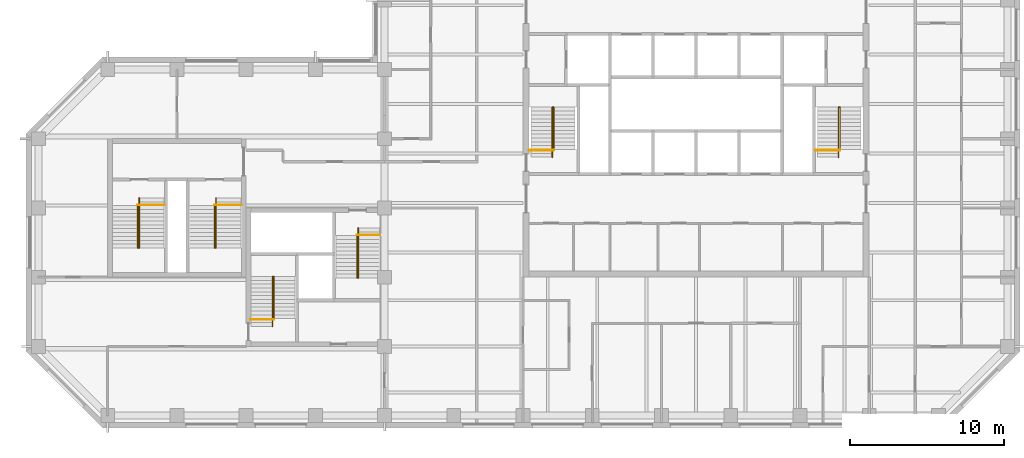
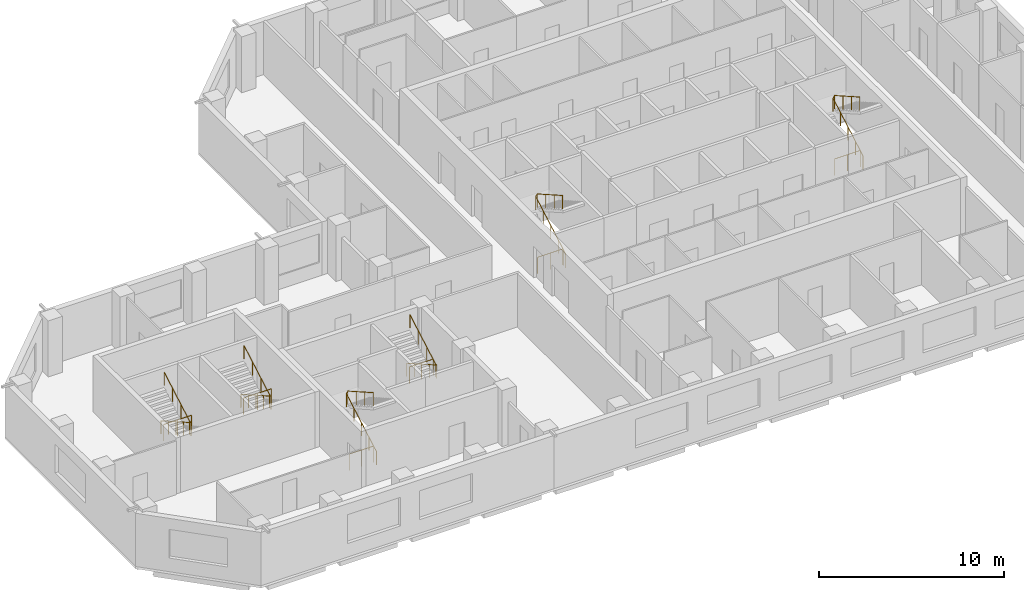
# One storey, part 10 of 10: 12 railings.
"""IFC4 building model written with IfcOpenShell, lengths in metres."""

from ifc_helpers import new_model, si_unit, direction, frame, origin, origin_2d, place, context, subcontext, project, spatial, circle, extrude, material, type_object, element, save


model = new_model("IFC4")

# Units and contexts
model_context = context("Model", 3, precision=1e-05, world=origin(), true_north=direction((0.0, 1.0)))
body_context = subcontext(model_context, "Body", "Model", "MODEL_VIEW")
ifc_project = project(units=[si_unit("LENGTHUNIT", "METRE"), si_unit("AREAUNIT", "SQUARE_METRE"), si_unit("VOLUMEUNIT", "CUBIC_METRE"), si_unit("PLANEANGLEUNIT", "RADIAN"), si_unit("MASSUNIT", "GRAM", prefix="KILO")], contexts=[model_context])

# Site, building, storey
site_placement = place(None, origin())
site = spatial("IfcSite", under=ifc_project, at=site_placement, CompositionType="ELEMENT")
building_placement = place(site_placement, origin())
building = spatial("IfcBuilding", under=site, at=building_placement, Name="Quoin Convention Tower", CompositionType="ELEMENT")
storey_placement = place(building_placement, frame((0.0, 0.0, 184.699951171875)))
storey = spatial("IfcBuildingStorey", under=building, at=storey_placement, Name="L48", CompositionType="ELEMENT", Elevation=184.699951171875)

# Railings
ifc_material = material(Name="Stainless steel", Category="steel")
railing_type_1 = type_object("IfcRailingType", Name="Stair handrail 900", PredefinedType="HANDRAIL", material=ifc_material)
railing_1_placement = place(storey_placement, frame((46.905029296875, 57.300048828125, 0.142333984375)))
element("IfcRailing", 1, at=railing_1_placement, inside=storey, type_object=railing_type_1, Name="SD1 handrail 1", PredefinedType="HANDRAIL", context=body_context, shape_type="SweptSolid", body=[
    extrude(circle(Radius=0.02392578125, at=origin_2d()), frame((0.0, 0.0, 0.8759765625), z_axis=(0.0, 0.869053504361, 0.494718108177), x_axis=(-1.0, 0.0, 0.0)), (0.0, 0.0, 1.0), 3.73974609375),
    extrude(circle(Radius=0.02392578125, at=origin_2d()), frame((0.0, 3.25, 2.72607421875), z_axis=(0.53481069233, 0.0, 0.844971906852), x_axis=(0.0, 1.0, 0.0)), (0.0, 0.0, 1.0), 0.16845703125),
    extrude(circle(Radius=0.02392578125, at=origin_2d()), frame((0.090087890625, 3.25, 2.8681640625), z_axis=(0.0, -0.869091777644, 0.494650868828), x_axis=(1.0, 0.0, 0.0)), (0.0, 0.0, 1.0), 3.164306640625),
    extrude(circle(Radius=0.02099609375, at=origin_2d()), origin(), (0.0, 0.0, 1.0), 0.851806640625),
    extrude(circle(Radius=0.02099609375, at=origin_2d()), frame((0.0, 0.8125, 0.46240234375)), (0.0, 0.0, 1.0), 0.851806640625),
    extrude(circle(Radius=0.02099609375, at=origin_2d()), frame((0.0, 1.625, 0.925048828125)), (0.0, 0.0, 1.0), 0.851806640625),
    extrude(circle(Radius=0.02099609375, at=origin_2d()), frame((0.0, 2.4375, 1.3876953125)), (0.0, 0.0, 1.0), 0.851806640625),
    extrude(circle(Radius=0.02099609375, at=origin_2d()), frame((0.0, 3.25, 1.85009765625)), (0.0, 0.0, 1.0), 0.851806640625),
    extrude(circle(Radius=0.02099609375, at=origin_2d()), frame((0.090087890625, 3.25, 1.992431640625)), (0.0, 0.0, 1.0), 0.851806640625),
    extrude(circle(Radius=0.02099609375, at=origin_2d()), frame((0.090087890625, 2.333251953125, 2.51416015625)), (0.0, 0.0, 1.0), 0.851806640625),
    extrude(circle(Radius=0.02099609375, at=origin_2d()), frame((0.090087890625, 1.416748046875, 3.035888671875)), (0.0, 0.0, 1.0), 0.851806640625),
    extrude(circle(Radius=0.02099609375, at=origin_2d()), frame((0.090087890625, 0.5, 3.5576171875)), (0.0, 0.0, 1.0), 0.851806640625),
])
railing_2_placement = place(storey_placement, frame((65.5048828125, 57.300048828125, 0.142333984375)))
element("IfcRailing", 2, at=railing_2_placement, inside=storey, type_object=railing_type_1, Name="SD2 handrail 1", PredefinedType="HANDRAIL", context=body_context, shape_type="SweptSolid", body=[
    extrude(circle(Radius=0.02392578125, at=origin_2d()), frame((0.0, 0.0, 0.8759765625), z_axis=(0.0, 0.869053504361, 0.494718108177), x_axis=(-1.0, 0.0, 0.0)), (0.0, 0.0, 1.0), 3.73974609375),
    extrude(circle(Radius=0.02392578125, at=origin_2d()), frame((0.0, 3.25, 2.72607421875), z_axis=(0.53481069233, 0.0, 0.844971906852), x_axis=(0.0, 1.0, 0.0)), (0.0, 0.0, 1.0), 0.16845703125),
    extrude(circle(Radius=0.02392578125, at=origin_2d()), frame((0.090087890625, 3.25, 2.8681640625), z_axis=(0.0, -0.869091777644, 0.494650868828), x_axis=(1.0, 0.0, 0.0)), (0.0, 0.0, 1.0), 3.164306640625),
    extrude(circle(Radius=0.02099609375, at=origin_2d()), origin(), (0.0, 0.0, 1.0), 0.851806640625),
    extrude(circle(Radius=0.02099609375, at=origin_2d()), frame((0.0, 0.8125, 0.46240234375)), (0.0, 0.0, 1.0), 0.851806640625),
    extrude(circle(Radius=0.02099609375, at=origin_2d()), frame((0.0, 1.625, 0.925048828125)), (0.0, 0.0, 1.0), 0.851806640625),
    extrude(circle(Radius=0.02099609375, at=origin_2d()), frame((0.0, 2.4375, 1.3876953125)), (0.0, 0.0, 1.0), 0.851806640625),
    extrude(circle(Radius=0.02099609375, at=origin_2d()), frame((0.0, 3.25, 1.85009765625)), (0.0, 0.0, 1.0), 0.851806640625),
    extrude(circle(Radius=0.02099609375, at=origin_2d()), frame((0.090087890625, 3.25, 1.992431640625)), (0.0, 0.0, 1.0), 0.851806640625),
    extrude(circle(Radius=0.02099609375, at=origin_2d()), frame((0.090087890625, 2.333251953125, 2.51416015625)), (0.0, 0.0, 1.0), 0.851806640625),
    extrude(circle(Radius=0.02099609375, at=origin_2d()), frame((0.090087890625, 1.416748046875, 3.035888671875)), (0.0, 0.0, 1.0), 0.851806640625),
    extrude(circle(Radius=0.02099609375, at=origin_2d()), frame((0.090087890625, 0.5, 3.5576171875)), (0.0, 0.0, 1.0), 0.851806640625),
])
railing_3_placement = place(storey_placement, frame((28.705078125, 46.300048828125, 0.142333984375)))
element("IfcRailing", 3, at=railing_3_placement, inside=storey, type_object=railing_type_1, Name="SD3 handrail 1", PredefinedType="HANDRAIL", context=body_context, shape_type="SweptSolid", body=[
    extrude(circle(Radius=0.02392578125, at=origin_2d()), frame((0.0, 0.0, 0.8759765625), z_axis=(0.0, 0.869053504361, 0.494718108177), x_axis=(-1.0, 0.0, 0.0)), (0.0, 0.0, 1.0), 3.73974609375),
    extrude(circle(Radius=0.02392578125, at=origin_2d()), frame((0.0, 3.25, 2.72607421875), z_axis=(0.533774684331, 0.0, 0.845626741753), x_axis=(0.0, 1.0, 0.0)), (0.0, 0.0, 1.0), 0.168212890625),
    extrude(circle(Radius=0.02392578125, at=origin_2d()), frame((0.08984375, 3.25, 2.8681640625), z_axis=(0.0, -0.869091777644, 0.494650868828), x_axis=(1.0, 0.0, 0.0)), (0.0, 0.0, 1.0), 3.164306640625),
    extrude(circle(Radius=0.02099609375, at=origin_2d()), origin(), (0.0, 0.0, 1.0), 0.851806640625),
    extrude(circle(Radius=0.02099609375, at=origin_2d()), frame((0.0, 0.8125, 0.46240234375)), (0.0, 0.0, 1.0), 0.851806640625),
    extrude(circle(Radius=0.02099609375, at=origin_2d()), frame((0.0, 1.625, 0.925048828125)), (0.0, 0.0, 1.0), 0.851806640625),
    extrude(circle(Radius=0.02099609375, at=origin_2d()), frame((0.0, 2.4375, 1.3876953125)), (0.0, 0.0, 1.0), 0.851806640625),
    extrude(circle(Radius=0.02099609375, at=origin_2d()), frame((0.0, 3.25, 1.85009765625)), (0.0, 0.0, 1.0), 0.851806640625),
    extrude(circle(Radius=0.02099609375, at=origin_2d()), frame((0.08984375, 3.25, 1.992431640625)), (0.0, 0.0, 1.0), 0.851806640625),
    extrude(circle(Radius=0.02099609375, at=origin_2d()), frame((0.08984375, 2.333251953125, 2.51416015625)), (0.0, 0.0, 1.0), 0.851806640625),
    extrude(circle(Radius=0.02099609375, at=origin_2d()), frame((0.08984375, 1.416748046875, 3.035888671875)), (0.0, 0.0, 1.0), 0.851806640625),
    extrude(circle(Radius=0.02099609375, at=origin_2d()), frame((0.08984375, 0.5, 3.5576171875)), (0.0, 0.0, 1.0), 0.851806640625),
])
railing_4_placement = place(storey_placement, frame((34.294921875, 52.699951171875, 0.142333984375)))
element("IfcRailing", 4, at=railing_4_placement, inside=storey, type_object=railing_type_1, Name="SD4 handrail 1", PredefinedType="HANDRAIL", context=body_context, shape_type="SweptSolid", body=[
    extrude(circle(Radius=0.02392578125, at=origin_2d()), frame((0.0, 0.0, 0.8759765625), z_axis=(0.0, -0.869053504361, 0.494718108177), x_axis=(1.0, 0.0, 0.0)), (0.0, 0.0, 1.0), 3.73974609375),
    extrude(circle(Radius=0.02392578125, at=origin_2d()), frame((0.0, -3.25, 2.72607421875), z_axis=(-0.533774684331, 0.0, 0.845626741753), x_axis=(0.0, -1.0, 0.0)), (0.0, 0.0, 1.0), 0.168212890625),
    extrude(circle(Radius=0.02392578125, at=origin_2d()), frame((-0.08984375, -3.25, 2.8681640625), z_axis=(0.0, 0.869091777644, 0.494650868828), x_axis=(-1.0, 0.0, 0.0)), (0.0, 0.0, 1.0), 3.164306640625),
    extrude(circle(Radius=0.02099609375, at=origin_2d()), origin(), (0.0, 0.0, 1.0), 0.851806640625),
    extrude(circle(Radius=0.02099609375, at=origin_2d()), frame((0.0, -0.8125, 0.46240234375)), (0.0, 0.0, 1.0), 0.851806640625),
    extrude(circle(Radius=0.02099609375, at=origin_2d()), frame((0.0, -1.625, 0.925048828125)), (0.0, 0.0, 1.0), 0.851806640625),
    extrude(circle(Radius=0.02099609375, at=origin_2d()), frame((0.0, -2.4375, 1.3876953125)), (0.0, 0.0, 1.0), 0.851806640625),
    extrude(circle(Radius=0.02099609375, at=origin_2d()), frame((0.0, -3.25, 1.85009765625)), (0.0, 0.0, 1.0), 0.851806640625),
    extrude(circle(Radius=0.02099609375, at=origin_2d()), frame((-0.08984375, -3.25, 1.992431640625)), (0.0, 0.0, 1.0), 0.851806640625),
    extrude(circle(Radius=0.02099609375, at=origin_2d()), frame((-0.08984375, -2.333251953125, 2.51416015625)), (0.0, 0.0, 1.0), 0.851806640625),
    extrude(circle(Radius=0.02099609375, at=origin_2d()), frame((-0.08984375, -1.416748046875, 3.035888671875)), (0.0, 0.0, 1.0), 0.851806640625),
    extrude(circle(Radius=0.02099609375, at=origin_2d()), frame((-0.08984375, -0.5, 3.5576171875)), (0.0, 0.0, 1.0), 0.851806640625),
])
railing_5_placement = place(storey_placement, frame((20.044921875, 54.64990234375, 0.142333984375)))
element("IfcRailing", 5, at=railing_5_placement, inside=storey, type_object=railing_type_1, Name="SD11 handrail 1", PredefinedType="HANDRAIL", context=body_context, shape_type="SweptSolid", body=[
    extrude(circle(Radius=0.02392578125, at=origin_2d()), frame((0.0, 0.0, 0.8759765625), z_axis=(0.0, -0.869053504361, 0.494718108177), x_axis=(1.0, 0.0, 0.0)), (0.0, 0.0, 1.0), 3.73974609375),
    extrude(circle(Radius=0.02392578125, at=origin_2d()), frame((0.0, -3.25, 2.72607421875), z_axis=(-0.533774684331, 0.0, 0.845626741753), x_axis=(0.0, -1.0, 0.0)), (0.0, 0.0, 1.0), 0.168212890625),
    extrude(circle(Radius=0.02392578125, at=origin_2d()), frame((-0.08984375, -3.25, 2.8681640625), z_axis=(0.0, 0.869091777644, 0.494650868828), x_axis=(-1.0, 0.0, 0.0)), (0.0, 0.0, 1.0), 3.164306640625),
    extrude(circle(Radius=0.02099609375, at=origin_2d()), origin(), (0.0, 0.0, 1.0), 0.851806640625),
    extrude(circle(Radius=0.02099609375, at=origin_2d()), frame((0.0, -0.8125, 0.46240234375)), (0.0, 0.0, 1.0), 0.851806640625),
    extrude(circle(Radius=0.02099609375, at=origin_2d()), frame((0.0, -1.625, 0.925048828125)), (0.0, 0.0, 1.0), 0.851806640625),
    extrude(circle(Radius=0.02099609375, at=origin_2d()), frame((0.0, -2.4375, 1.3876953125)), (0.0, 0.0, 1.0), 0.851806640625),
    extrude(circle(Radius=0.02099609375, at=origin_2d()), frame((0.0, -3.25, 1.85009765625)), (0.0, 0.0, 1.0), 0.851806640625),
    extrude(circle(Radius=0.02099609375, at=origin_2d()), frame((-0.08984375, -3.25, 1.992431640625)), (0.0, 0.0, 1.0), 0.851806640625),
    extrude(circle(Radius=0.02099609375, at=origin_2d()), frame((-0.08984375, -2.333251953125, 2.51416015625)), (0.0, 0.0, 1.0), 0.851806640625),
    extrude(circle(Radius=0.02099609375, at=origin_2d()), frame((-0.08984375, -1.416748046875, 3.035888671875)), (0.0, 0.0, 1.0), 0.851806640625),
    extrude(circle(Radius=0.02099609375, at=origin_2d()), frame((-0.08984375, -0.5, 3.5576171875)), (0.0, 0.0, 1.0), 0.851806640625),
])
railing_6_placement = place(storey_placement, frame((25.044921875, 54.64990234375, 0.142333984375)))
element("IfcRailing", 6, at=railing_6_placement, inside=storey, type_object=railing_type_1, Name="SD12 handrail 1", PredefinedType="HANDRAIL", context=body_context, shape_type="SweptSolid", body=[
    extrude(circle(Radius=0.02392578125, at=origin_2d()), frame((0.0, 0.0, 0.8759765625), z_axis=(0.0, -0.869053504361, 0.494718108177), x_axis=(1.0, 0.0, 0.0)), (0.0, 0.0, 1.0), 3.73974609375),
    extrude(circle(Radius=0.02392578125, at=origin_2d()), frame((0.0, -3.25, 2.72607421875), z_axis=(-0.533774684331, 0.0, 0.845626741753), x_axis=(0.0, -1.0, 0.0)), (0.0, 0.0, 1.0), 0.168212890625),
    extrude(circle(Radius=0.02392578125, at=origin_2d()), frame((-0.08984375, -3.25, 2.8681640625), z_axis=(0.0, 0.869091777644, 0.494650868828), x_axis=(-1.0, 0.0, 0.0)), (0.0, 0.0, 1.0), 3.164306640625),
    extrude(circle(Radius=0.02099609375, at=origin_2d()), origin(), (0.0, 0.0, 1.0), 0.851806640625),
    extrude(circle(Radius=0.02099609375, at=origin_2d()), frame((0.0, -0.8125, 0.46240234375)), (0.0, 0.0, 1.0), 0.851806640625),
    extrude(circle(Radius=0.02099609375, at=origin_2d()), frame((0.0, -1.625, 0.925048828125)), (0.0, 0.0, 1.0), 0.851806640625),
    extrude(circle(Radius=0.02099609375, at=origin_2d()), frame((0.0, -2.4375, 1.3876953125)), (0.0, 0.0, 1.0), 0.851806640625),
    extrude(circle(Radius=0.02099609375, at=origin_2d()), frame((0.0, -3.25, 1.85009765625)), (0.0, 0.0, 1.0), 0.851806640625),
    extrude(circle(Radius=0.02099609375, at=origin_2d()), frame((-0.08984375, -3.25, 1.992431640625)), (0.0, 0.0, 1.0), 0.851806640625),
    extrude(circle(Radius=0.02099609375, at=origin_2d()), frame((-0.08984375, -2.333251953125, 2.51416015625)), (0.0, 0.0, 1.0), 0.851806640625),
    extrude(circle(Radius=0.02099609375, at=origin_2d()), frame((-0.08984375, -1.416748046875, 3.035888671875)), (0.0, 0.0, 1.0), 0.851806640625),
    extrude(circle(Radius=0.02099609375, at=origin_2d()), frame((-0.08984375, -0.5, 3.5576171875)), (0.0, 0.0, 1.0), 0.851806640625),
])
railing_type_2 = type_object("IfcRailingType", Name="Stair top guard 1100", PredefinedType="GUARDRAIL", material=ifc_material)
railing_7_placement = place(storey_placement, frame((45.39990234375, 57.75, 0.0)))
element("IfcRailing", 7, at=railing_7_placement, inside=storey, type_object=railing_type_2, Name="SD1 top guard", PredefinedType="GUARDRAIL", context=body_context, shape_type="SweptSolid", body=[
    extrude(circle(Radius=0.02392578125, at=origin_2d()), frame((0.0, 0.0, 1.076171875), z_axis=(1.0, 0.0, 0.0), x_axis=(0.0, 1.0, 0.0)), (0.0, 0.0, 1.0), 1.59521484375),
    extrude(circle(Radius=0.02099609375, at=origin_2d()), origin(), (0.0, 0.0, 1.0), 1.052001953125),
    extrude(circle(Radius=0.02099609375, at=origin_2d()), frame((0.797607421875, 0.0, 0.0)), (0.0, 0.0, 1.0), 1.052001953125),
    extrude(circle(Radius=0.02099609375, at=origin_2d()), frame((1.59521484375, 0.0, 0.0)), (0.0, 0.0, 1.0), 1.052001953125),
])
railing_8_placement = place(storey_placement, frame((64.0, 57.75, 0.0)))
element("IfcRailing", 8, at=railing_8_placement, inside=storey, type_object=railing_type_2, Name="SD2 top guard", PredefinedType="GUARDRAIL", context=body_context, shape_type="SweptSolid", body=[
    extrude(circle(Radius=0.02392578125, at=origin_2d()), frame((0.0, 0.0, 1.076171875), z_axis=(1.0, 0.0, 0.0), x_axis=(0.0, 1.0, 0.0)), (0.0, 0.0, 1.0), 1.594970703125),
    extrude(circle(Radius=0.02099609375, at=origin_2d()), origin(), (0.0, 0.0, 1.0), 1.052001953125),
    extrude(circle(Radius=0.02099609375, at=origin_2d()), frame((0.79736328125, 0.0, 0.0)), (0.0, 0.0, 1.0), 1.052001953125),
    extrude(circle(Radius=0.02099609375, at=origin_2d()), frame((1.594970703125, 0.0, 0.0)), (0.0, 0.0, 1.0), 1.052001953125),
])
railing_9_placement = place(storey_placement, frame((27.300048828125, 46.75, 0.0)))
element("IfcRailing", 9, at=railing_9_placement, inside=storey, type_object=railing_type_2, Name="SD3 top guard", PredefinedType="GUARDRAIL", context=body_context, shape_type="SweptSolid", body=[
    extrude(circle(Radius=0.02392578125, at=origin_2d()), frame((0.0, 0.0, 1.076171875), z_axis=(1.0, 0.0, 0.0), x_axis=(0.0, 1.0, 0.0)), (0.0, 0.0, 1.0), 1.494873046875),
    extrude(circle(Radius=0.02099609375, at=origin_2d()), origin(), (0.0, 0.0, 1.0), 1.052001953125),
    extrude(circle(Radius=0.02099609375, at=origin_2d()), frame((0.74755859375, 0.0, 0.0)), (0.0, 0.0, 1.0), 1.052001953125),
    extrude(circle(Radius=0.02099609375, at=origin_2d()), frame((1.494873046875, 0.0, 0.0)), (0.0, 0.0, 1.0), 1.052001953125),
])
railing_10_placement = place(storey_placement, frame((35.699951171875, 52.25, 0.0)))
element("IfcRailing", 10, at=railing_10_placement, inside=storey, type_object=railing_type_2, Name="SD4 top guard", PredefinedType="GUARDRAIL", context=body_context, shape_type="SweptSolid", body=[
    extrude(circle(Radius=0.02392578125, at=origin_2d()), frame((0.0, 0.0, 1.076171875), z_axis=(-1.0, 0.0, 0.0), x_axis=(0.0, -1.0, 0.0)), (0.0, 0.0, 1.0), 1.494873046875),
    extrude(circle(Radius=0.02099609375, at=origin_2d()), origin(), (0.0, 0.0, 1.0), 1.052001953125),
    extrude(circle(Radius=0.02099609375, at=origin_2d()), frame((-0.74755859375, 0.0, 0.0)), (0.0, 0.0, 1.0), 1.052001953125),
    extrude(circle(Radius=0.02099609375, at=origin_2d()), frame((-1.494873046875, 0.0, 0.0)), (0.0, 0.0, 1.0), 1.052001953125),
])
for number, where, name in (
    (11, (21.699951171875, 54.199951171875, 0.0), "SD11 top guard"),
    (12, (26.699951171875, 54.199951171875, 0.0), "SD12 top guard"),
):
    element("IfcRailing", number, at=place(storey_placement, frame(where)), inside=storey, type_object=railing_type_2, Name=name, PredefinedType="GUARDRAIL", context=body_context, shape_type="SweptSolid", body=[
        extrude(circle(Radius=0.02392578125, at=origin_2d()), frame((0.0, 0.0, 1.076171875), z_axis=(-1.0, 0.0, 0.0), x_axis=(0.0, -1.0, 0.0)), (0.0, 0.0, 1.0), 1.744873046875),
        extrude(circle(Radius=0.02099609375, at=origin_2d()), origin(), (0.0, 0.0, 1.0), 1.052001953125),
        extrude(circle(Radius=0.02099609375, at=origin_2d()), frame((-0.87255859375, 0.0, 0.0)), (0.0, 0.0, 1.0), 1.052001953125),
        extrude(circle(Radius=0.02099609375, at=origin_2d()), frame((-1.744873046875, 0.0, 0.0)), (0.0, 0.0, 1.0), 1.052001953125),
    ])

save(model, "model.ifc")
